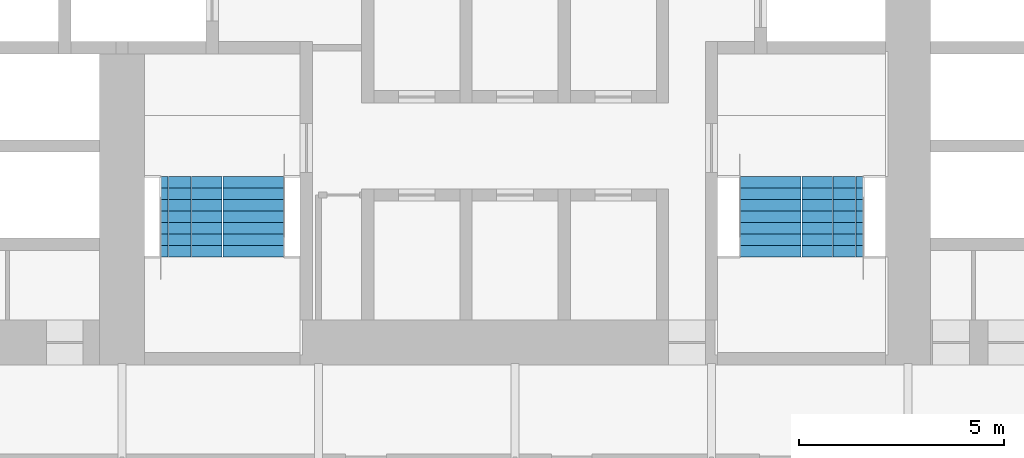
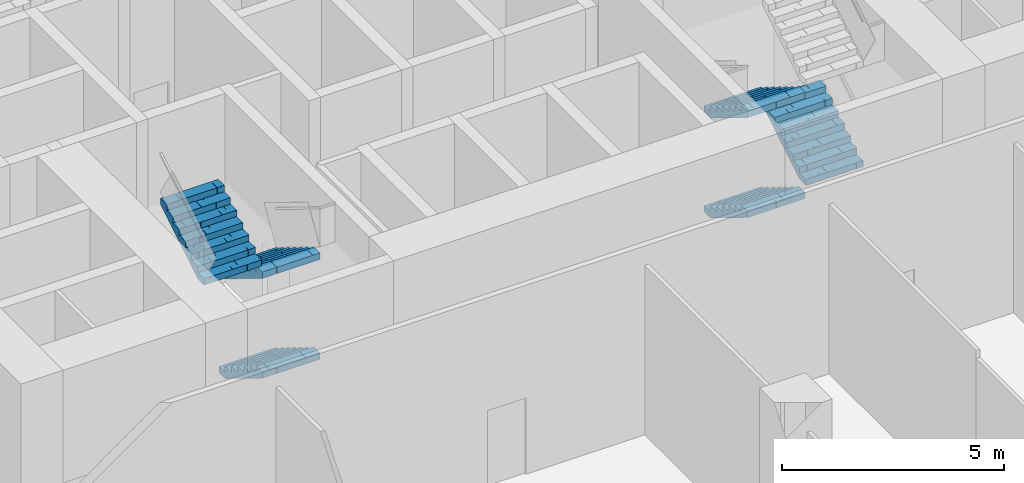
# One storey, part 26 of 32: 6 stair flights, 2 elements without a shape of their own.
"""IFC4 building model written with IfcOpenShell, lengths in metres."""

from ifc_helpers import new_model, si_unit, direction, frame, origin, place, context, subcontext, project, spatial, polyline, outline, extrude, material, type_object, element, aggregate, save


model = new_model("IFC4")

# Units and contexts
model_context = context("Model", 3, precision=1e-05, world=origin(), true_north=direction((0.0, 1.0)))
body_context = subcontext(model_context, "Body", "Model", "MODEL_VIEW")
ifc_project = project(units=[si_unit("LENGTHUNIT", "METRE"), si_unit("AREAUNIT", "SQUARE_METRE"), si_unit("VOLUMEUNIT", "CUBIC_METRE"), si_unit("PLANEANGLEUNIT", "RADIAN"), si_unit("MASSUNIT", "GRAM", prefix="KILO")], contexts=[model_context])

# Site, building, storey
site_placement = place(None, origin())
site = spatial("IfcSite", under=ifc_project, at=site_placement, CompositionType="ELEMENT")
building_placement = place(site_placement, origin())
building = spatial("IfcBuilding", under=site, at=building_placement, Name="Kolab Exchange Tower", CompositionType="ELEMENT")
storey_placement = place(building_placement, frame((0.0, 0.0, 60.89990234375)))
storey = spatial("IfcBuildingStorey", under=building, at=storey_placement, Name="L11", CompositionType="ELEMENT", Elevation=60.89990234375)

# Stair, stair flights
ifc_material = material(Name="Concrete C50/60", Category="concrete")
stair_type_1 = type_object("IfcStairType", Name="STAIR ST3 RISER 171.9", PredefinedType="DOUBLE_RETURN_STAIR", material=ifc_material)
stair_1_placement = place(storey_placement, origin())
stair_1 = element("IfcStair", 1, at=stair_1_placement, inside=storey, type_object=stair_type_1, Name="Stair 3", PredefinedType="DOUBLE_RETURN_STAIR")
stair_flight_type = type_object("IfcStairFlightType", Name="STAIR FLIGHT 1500 RISER 171.9", PredefinedType="STRAIGHT", material=ifc_material)
stair_flight_1_placement = place(storey_placement, frame((-6.389892578125, -5.550048828125, 0.0), z_axis=(0.0, 0.0, 1.0), x_axis=(0.0, -1.0, 0.0)))
stair_flight_1 = element("IfcStairFlight", 2, at=stair_flight_1_placement, type_object=stair_flight_type, Name="ST3 flight 1", NumberOfRisers=8, NumberOfTreads=7, PredefinedType="STRAIGHT", RiserHeight=0.171875, TreadLength=0.28, context=body_context, shape_type="SweptSolid", body=[
    extrude(outline(polyline([(0.0, 0.0), (0.0, 0.171875), (0.280029296875, 0.171875), (0.280029296875, 0.34375), (0.56005859375, 0.34375), (0.56005859375, 0.515625), (0.840087890625, 0.515625), (0.840087890625, 0.6875), (1.1201171875, 0.6875), (1.1201171875, 0.859375), (1.39990234375, 0.859375), (1.39990234375, 1.03125), (1.679931640625, 1.03125), (1.679931640625, 1.203125), (1.9599609375, 1.203125), (1.9599609375, 1.375), (1.9599609375, 1.02734375), (0.28662109375, 0.0), (0.0, 0.0)])), frame((0.0, 0.75, 0.0), z_axis=(0.0, -1.0, 0.0), x_axis=(1.0, 0.0, 0.0)), (0.0, 0.0, 1.0), 0.185791015625),
    extrude(outline(polyline([(0.0, 0.0), (0.0, 0.171875), (0.280029296875, 0.171875), (0.280029296875, 0.34375), (0.56005859375, 0.34375), (0.56005859375, 0.515625), (0.840087890625, 0.515625), (0.840087890625, 0.6875), (1.1201171875, 0.6875), (1.1201171875, 0.859375), (1.39990234375, 0.859375), (1.39990234375, 1.03125), (1.679931640625, 1.03125), (1.679931640625, 1.203125), (1.9599609375, 1.203125), (1.9599609375, 1.375), (1.9599609375, 1.02734375), (0.28662109375, 0.0), (0.0, 0.0)])), frame((0.0, 0.562255859375, 0.0), z_axis=(0.0, -1.0, 0.0), x_axis=(1.0, 0.0, 0.0)), (0.0, 0.0, 1.0), 0.185791015625),
    extrude(outline(polyline([(0.0, 0.0), (0.0, 0.171875), (0.280029296875, 0.171875), (0.280029296875, 0.34375), (0.56005859375, 0.34375), (0.56005859375, 0.515625), (0.840087890625, 0.515625), (0.840087890625, 0.6875), (1.1201171875, 0.6875), (1.1201171875, 0.859375), (1.39990234375, 0.859375), (1.39990234375, 1.03125), (1.679931640625, 1.03125), (1.679931640625, 1.203125), (1.9599609375, 1.203125), (1.9599609375, 1.375), (1.9599609375, 1.02734375), (0.28662109375, 0.0), (0.0, 0.0)])), frame((0.0, 0.37451171875, 0.0), z_axis=(0.0, -1.0, 0.0), x_axis=(1.0, 0.0, 0.0)), (0.0, 0.0, 1.0), 0.185791015625),
    extrude(outline(polyline([(0.0, 0.0), (0.0, 0.171875), (0.280029296875, 0.171875), (0.280029296875, 0.34375), (0.56005859375, 0.34375), (0.56005859375, 0.515625), (0.840087890625, 0.515625), (0.840087890625, 0.6875), (1.1201171875, 0.6875), (1.1201171875, 0.859375), (1.39990234375, 0.859375), (1.39990234375, 1.03125), (1.679931640625, 1.03125), (1.679931640625, 1.203125), (1.9599609375, 1.203125), (1.9599609375, 1.375), (1.9599609375, 1.02734375), (0.28662109375, 0.0), (0.0, 0.0)])), frame((0.0, 0.186767578125, 0.0), z_axis=(0.0, -1.0, 0.0), x_axis=(1.0, 0.0, 0.0)), (0.0, 0.0, 1.0), 0.185791015625),
    extrude(outline(polyline([(0.0, 0.0), (0.0, 0.171875), (0.280029296875, 0.171875), (0.280029296875, 0.34375), (0.56005859375, 0.34375), (0.56005859375, 0.515625), (0.840087890625, 0.515625), (0.840087890625, 0.6875), (1.1201171875, 0.6875), (1.1201171875, 0.859375), (1.39990234375, 0.859375), (1.39990234375, 1.03125), (1.679931640625, 1.03125), (1.679931640625, 1.203125), (1.9599609375, 1.203125), (1.9599609375, 1.375), (1.9599609375, 1.02734375), (0.28662109375, 0.0), (0.0, 0.0)])), frame((0.0, -0.0009765625, 0.0), z_axis=(0.0, -1.0, 0.0), x_axis=(1.0, 0.0, 0.0)), (0.0, 0.0, 1.0), 0.185791015625),
    extrude(outline(polyline([(0.0, 0.0), (0.0, 0.171875), (0.280029296875, 0.171875), (0.280029296875, 0.34375), (0.56005859375, 0.34375), (0.56005859375, 0.515625), (0.840087890625, 0.515625), (0.840087890625, 0.6875), (1.1201171875, 0.6875), (1.1201171875, 0.859375), (1.39990234375, 0.859375), (1.39990234375, 1.03125), (1.679931640625, 1.03125), (1.679931640625, 1.203125), (1.9599609375, 1.203125), (1.9599609375, 1.375), (1.9599609375, 1.02734375), (0.28662109375, 0.0), (0.0, 0.0)])), frame((0.0, -0.188720703125, 0.0), z_axis=(0.0, -1.0, 0.0), x_axis=(1.0, 0.0, 0.0)), (0.0, 0.0, 1.0), 0.185791015625),
    extrude(outline(polyline([(0.0, 0.0), (0.0, 0.171875), (0.280029296875, 0.171875), (0.280029296875, 0.34375), (0.56005859375, 0.34375), (0.56005859375, 0.515625), (0.840087890625, 0.515625), (0.840087890625, 0.6875), (1.1201171875, 0.6875), (1.1201171875, 0.859375), (1.39990234375, 0.859375), (1.39990234375, 1.03125), (1.679931640625, 1.03125), (1.679931640625, 1.203125), (1.9599609375, 1.203125), (1.9599609375, 1.375), (1.9599609375, 1.02734375), (0.28662109375, 0.0), (0.0, 0.0)])), frame((0.0, -0.37646484375, 0.0), z_axis=(0.0, -1.0, 0.0), x_axis=(1.0, 0.0, 0.0)), (0.0, 0.0, 1.0), 0.185791015625),
    extrude(outline(polyline([(0.0, 0.0), (0.0, 0.171875), (0.280029296875, 0.171875), (0.280029296875, 0.34375), (0.56005859375, 0.34375), (0.56005859375, 0.515625), (0.840087890625, 0.515625), (0.840087890625, 0.6875), (1.1201171875, 0.6875), (1.1201171875, 0.859375), (1.39990234375, 0.859375), (1.39990234375, 1.03125), (1.679931640625, 1.03125), (1.679931640625, 1.203125), (1.9599609375, 1.203125), (1.9599609375, 1.375), (1.9599609375, 1.02734375), (0.28662109375, 0.0), (0.0, 0.0)])), frame((0.0, -0.564208984375, 0.0), z_axis=(0.0, -1.0, 0.0), x_axis=(1.0, 0.0, 0.0)), (0.0, 0.0, 1.0), 0.185791015625),
])
stair_flight_2_placement = place(storey_placement, frame((-6.389892578125, -5.550048828125, 2.75), z_axis=(0.0, 0.0, 1.0), x_axis=(0.0, -1.0, 0.0)))
stair_flight_2 = element("IfcStairFlight", 3, at=stair_flight_2_placement, type_object=stair_flight_type, Name="ST3 flight 3", NumberOfRisers=8, NumberOfTreads=7, PredefinedType="STRAIGHT", RiserHeight=0.171875, TreadLength=0.28, context=body_context, shape_type="SweptSolid", body=[
    extrude(outline(polyline([(0.0, 0.0), (0.0, 0.171875), (0.280029296875, 0.171875), (0.280029296875, 0.34375), (0.56005859375, 0.34375), (0.56005859375, 0.515625), (0.840087890625, 0.515625), (0.840087890625, 0.6875), (1.1201171875, 0.6875), (1.1201171875, 0.859375), (1.39990234375, 0.859375), (1.39990234375, 1.03125), (1.679931640625, 1.03125), (1.679931640625, 1.203125), (1.9599609375, 1.203125), (1.9599609375, 1.375), (1.9599609375, 1.02734375), (0.28662109375, 0.0), (0.0, 0.0)])), frame((0.0, 0.75, 0.0), z_axis=(0.0, -1.0, 0.0), x_axis=(1.0, 0.0, 0.0)), (0.0, 0.0, 1.0), 0.185791015625),
    extrude(outline(polyline([(0.0, 0.0), (0.0, 0.171875), (0.280029296875, 0.171875), (0.280029296875, 0.34375), (0.56005859375, 0.34375), (0.56005859375, 0.515625), (0.840087890625, 0.515625), (0.840087890625, 0.6875), (1.1201171875, 0.6875), (1.1201171875, 0.859375), (1.39990234375, 0.859375), (1.39990234375, 1.03125), (1.679931640625, 1.03125), (1.679931640625, 1.203125), (1.9599609375, 1.203125), (1.9599609375, 1.375), (1.9599609375, 1.02734375), (0.28662109375, 0.0), (0.0, 0.0)])), frame((0.0, 0.562255859375, 0.0), z_axis=(0.0, -1.0, 0.0), x_axis=(1.0, 0.0, 0.0)), (0.0, 0.0, 1.0), 0.185791015625),
    extrude(outline(polyline([(0.0, 0.0), (0.0, 0.171875), (0.280029296875, 0.171875), (0.280029296875, 0.34375), (0.56005859375, 0.34375), (0.56005859375, 0.515625), (0.840087890625, 0.515625), (0.840087890625, 0.6875), (1.1201171875, 0.6875), (1.1201171875, 0.859375), (1.39990234375, 0.859375), (1.39990234375, 1.03125), (1.679931640625, 1.03125), (1.679931640625, 1.203125), (1.9599609375, 1.203125), (1.9599609375, 1.375), (1.9599609375, 1.02734375), (0.28662109375, 0.0), (0.0, 0.0)])), frame((0.0, 0.37451171875, 0.0), z_axis=(0.0, -1.0, 0.0), x_axis=(1.0, 0.0, 0.0)), (0.0, 0.0, 1.0), 0.185791015625),
    extrude(outline(polyline([(0.0, 0.0), (0.0, 0.171875), (0.280029296875, 0.171875), (0.280029296875, 0.34375), (0.56005859375, 0.34375), (0.56005859375, 0.515625), (0.840087890625, 0.515625), (0.840087890625, 0.6875), (1.1201171875, 0.6875), (1.1201171875, 0.859375), (1.39990234375, 0.859375), (1.39990234375, 1.03125), (1.679931640625, 1.03125), (1.679931640625, 1.203125), (1.9599609375, 1.203125), (1.9599609375, 1.375), (1.9599609375, 1.02734375), (0.28662109375, 0.0), (0.0, 0.0)])), frame((0.0, 0.186767578125, 0.0), z_axis=(0.0, -1.0, 0.0), x_axis=(1.0, 0.0, 0.0)), (0.0, 0.0, 1.0), 0.185791015625),
    extrude(outline(polyline([(0.0, 0.0), (0.0, 0.171875), (0.280029296875, 0.171875), (0.280029296875, 0.34375), (0.56005859375, 0.34375), (0.56005859375, 0.515625), (0.840087890625, 0.515625), (0.840087890625, 0.6875), (1.1201171875, 0.6875), (1.1201171875, 0.859375), (1.39990234375, 0.859375), (1.39990234375, 1.03125), (1.679931640625, 1.03125), (1.679931640625, 1.203125), (1.9599609375, 1.203125), (1.9599609375, 1.375), (1.9599609375, 1.02734375), (0.28662109375, 0.0), (0.0, 0.0)])), frame((0.0, -0.0009765625, 0.0), z_axis=(0.0, -1.0, 0.0), x_axis=(1.0, 0.0, 0.0)), (0.0, 0.0, 1.0), 0.185791015625),
    extrude(outline(polyline([(0.0, 0.0), (0.0, 0.171875), (0.280029296875, 0.171875), (0.280029296875, 0.34375), (0.56005859375, 0.34375), (0.56005859375, 0.515625), (0.840087890625, 0.515625), (0.840087890625, 0.6875), (1.1201171875, 0.6875), (1.1201171875, 0.859375), (1.39990234375, 0.859375), (1.39990234375, 1.03125), (1.679931640625, 1.03125), (1.679931640625, 1.203125), (1.9599609375, 1.203125), (1.9599609375, 1.375), (1.9599609375, 1.02734375), (0.28662109375, 0.0), (0.0, 0.0)])), frame((0.0, -0.188720703125, 0.0), z_axis=(0.0, -1.0, 0.0), x_axis=(1.0, 0.0, 0.0)), (0.0, 0.0, 1.0), 0.185791015625),
    extrude(outline(polyline([(0.0, 0.0), (0.0, 0.171875), (0.280029296875, 0.171875), (0.280029296875, 0.34375), (0.56005859375, 0.34375), (0.56005859375, 0.515625), (0.840087890625, 0.515625), (0.840087890625, 0.6875), (1.1201171875, 0.6875), (1.1201171875, 0.859375), (1.39990234375, 0.859375), (1.39990234375, 1.03125), (1.679931640625, 1.03125), (1.679931640625, 1.203125), (1.9599609375, 1.203125), (1.9599609375, 1.375), (1.9599609375, 1.02734375), (0.28662109375, 0.0), (0.0, 0.0)])), frame((0.0, -0.37646484375, 0.0), z_axis=(0.0, -1.0, 0.0), x_axis=(1.0, 0.0, 0.0)), (0.0, 0.0, 1.0), 0.185791015625),
    extrude(outline(polyline([(0.0, 0.0), (0.0, 0.171875), (0.280029296875, 0.171875), (0.280029296875, 0.34375), (0.56005859375, 0.34375), (0.56005859375, 0.515625), (0.840087890625, 0.515625), (0.840087890625, 0.6875), (1.1201171875, 0.6875), (1.1201171875, 0.859375), (1.39990234375, 0.859375), (1.39990234375, 1.03125), (1.679931640625, 1.03125), (1.679931640625, 1.203125), (1.9599609375, 1.203125), (1.9599609375, 1.375), (1.9599609375, 1.02734375), (0.28662109375, 0.0), (0.0, 0.0)])), frame((0.0, -0.564208984375, 0.0), z_axis=(0.0, -1.0, 0.0), x_axis=(1.0, 0.0, 0.0)), (0.0, 0.0, 1.0), 0.185791015625),
])
stair_flight_3_placement = place(storey_placement, frame((-7.909912109375, -7.510009765625, 4.125), z_axis=(0.0, 0.0, 1.0), x_axis=(0.0, 1.0, 0.0)))
stair_flight_3 = element("IfcStairFlight", 4, at=stair_flight_3_placement, type_object=stair_flight_type, Name="ST3 flight 4", NumberOfRisers=8, NumberOfTreads=7, PredefinedType="STRAIGHT", RiserHeight=0.171875, TreadLength=0.28, context=body_context, shape_type="SweptSolid", body=[
    extrude(outline(polyline([(0.0, 0.0), (0.0, 0.171875), (0.280029296875, 0.171875), (0.280029296875, 0.34375), (0.56005859375, 0.34375), (0.56005859375, 0.515625), (0.840087890625, 0.515625), (0.840087890625, 0.6875), (1.1201171875, 0.6875), (1.1201171875, 0.859375), (1.39990234375, 0.859375), (1.39990234375, 1.03125), (1.679931640625, 1.03125), (1.679931640625, 1.203125), (1.9599609375, 1.203125), (1.9599609375, 1.375), (1.9599609375, 1.02734375), (0.28662109375, 0.0), (0.0, 0.0)])), frame((0.0, 0.75, 0.0), z_axis=(0.0, -1.0, 0.0), x_axis=(1.0, 0.0, 0.0)), (0.0, 0.0, 1.0), 0.185791015625),
    extrude(outline(polyline([(0.0, 0.0), (0.0, 0.171875), (0.280029296875, 0.171875), (0.280029296875, 0.34375), (0.56005859375, 0.34375), (0.56005859375, 0.515625), (0.840087890625, 0.515625), (0.840087890625, 0.6875), (1.1201171875, 0.6875), (1.1201171875, 0.859375), (1.39990234375, 0.859375), (1.39990234375, 1.03125), (1.679931640625, 1.03125), (1.679931640625, 1.203125), (1.9599609375, 1.203125), (1.9599609375, 1.375), (1.9599609375, 1.02734375), (0.28662109375, 0.0), (0.0, 0.0)])), frame((0.0, 0.562255859375, 0.0), z_axis=(0.0, -1.0, 0.0), x_axis=(1.0, 0.0, 0.0)), (0.0, 0.0, 1.0), 0.185791015625),
    extrude(outline(polyline([(0.0, 0.0), (0.0, 0.171875), (0.280029296875, 0.171875), (0.280029296875, 0.34375), (0.56005859375, 0.34375), (0.56005859375, 0.515625), (0.840087890625, 0.515625), (0.840087890625, 0.6875), (1.1201171875, 0.6875), (1.1201171875, 0.859375), (1.39990234375, 0.859375), (1.39990234375, 1.03125), (1.679931640625, 1.03125), (1.679931640625, 1.203125), (1.9599609375, 1.203125), (1.9599609375, 1.375), (1.9599609375, 1.02734375), (0.28662109375, 0.0), (0.0, 0.0)])), frame((0.0, 0.37451171875, 0.0), z_axis=(0.0, -1.0, 0.0), x_axis=(1.0, 0.0, 0.0)), (0.0, 0.0, 1.0), 0.185791015625),
    extrude(outline(polyline([(0.0, 0.0), (0.0, 0.171875), (0.280029296875, 0.171875), (0.280029296875, 0.34375), (0.56005859375, 0.34375), (0.56005859375, 0.515625), (0.840087890625, 0.515625), (0.840087890625, 0.6875), (1.1201171875, 0.6875), (1.1201171875, 0.859375), (1.39990234375, 0.859375), (1.39990234375, 1.03125), (1.679931640625, 1.03125), (1.679931640625, 1.203125), (1.9599609375, 1.203125), (1.9599609375, 1.375), (1.9599609375, 1.02734375), (0.28662109375, 0.0), (0.0, 0.0)])), frame((0.0, 0.186767578125, 0.0), z_axis=(0.0, -1.0, 0.0), x_axis=(1.0, 0.0, 0.0)), (0.0, 0.0, 1.0), 0.185791015625),
    extrude(outline(polyline([(0.0, 0.0), (0.0, 0.171875), (0.280029296875, 0.171875), (0.280029296875, 0.34375), (0.56005859375, 0.34375), (0.56005859375, 0.515625), (0.840087890625, 0.515625), (0.840087890625, 0.6875), (1.1201171875, 0.6875), (1.1201171875, 0.859375), (1.39990234375, 0.859375), (1.39990234375, 1.03125), (1.679931640625, 1.03125), (1.679931640625, 1.203125), (1.9599609375, 1.203125), (1.9599609375, 1.375), (1.9599609375, 1.02734375), (0.28662109375, 0.0), (0.0, 0.0)])), frame((0.0, -0.0009765625, 0.0), z_axis=(0.0, -1.0, 0.0), x_axis=(1.0, 0.0, 0.0)), (0.0, 0.0, 1.0), 0.185791015625),
    extrude(outline(polyline([(0.0, 0.0), (0.0, 0.171875), (0.280029296875, 0.171875), (0.280029296875, 0.34375), (0.56005859375, 0.34375), (0.56005859375, 0.515625), (0.840087890625, 0.515625), (0.840087890625, 0.6875), (1.1201171875, 0.6875), (1.1201171875, 0.859375), (1.39990234375, 0.859375), (1.39990234375, 1.03125), (1.679931640625, 1.03125), (1.679931640625, 1.203125), (1.9599609375, 1.203125), (1.9599609375, 1.375), (1.9599609375, 1.02734375), (0.28662109375, 0.0), (0.0, 0.0)])), frame((0.0, -0.188720703125, 0.0), z_axis=(0.0, -1.0, 0.0), x_axis=(1.0, 0.0, 0.0)), (0.0, 0.0, 1.0), 0.185791015625),
    extrude(outline(polyline([(0.0, 0.0), (0.0, 0.171875), (0.280029296875, 0.171875), (0.280029296875, 0.34375), (0.56005859375, 0.34375), (0.56005859375, 0.515625), (0.840087890625, 0.515625), (0.840087890625, 0.6875), (1.1201171875, 0.6875), (1.1201171875, 0.859375), (1.39990234375, 0.859375), (1.39990234375, 1.03125), (1.679931640625, 1.03125), (1.679931640625, 1.203125), (1.9599609375, 1.203125), (1.9599609375, 1.375), (1.9599609375, 1.02734375), (0.28662109375, 0.0), (0.0, 0.0)])), frame((0.0, -0.37646484375, 0.0), z_axis=(0.0, -1.0, 0.0), x_axis=(1.0, 0.0, 0.0)), (0.0, 0.0, 1.0), 0.185791015625),
    extrude(outline(polyline([(0.0, 0.0), (0.0, 0.171875), (0.280029296875, 0.171875), (0.280029296875, 0.34375), (0.56005859375, 0.34375), (0.56005859375, 0.515625), (0.840087890625, 0.515625), (0.840087890625, 0.6875), (1.1201171875, 0.6875), (1.1201171875, 0.859375), (1.39990234375, 0.859375), (1.39990234375, 1.03125), (1.679931640625, 1.03125), (1.679931640625, 1.203125), (1.9599609375, 1.203125), (1.9599609375, 1.375), (1.9599609375, 1.02734375), (0.28662109375, 0.0), (0.0, 0.0)])), frame((0.0, -0.564208984375, 0.0), z_axis=(0.0, -1.0, 0.0), x_axis=(1.0, 0.0, 0.0)), (0.0, 0.0, 1.0), 0.185791015625),
])
aggregate(stair_1, [stair_flight_1, stair_flight_2, stair_flight_3])

stair_type_2 = type_object("IfcStairType", Name="STAIR ST2 RISER 171.9", PredefinedType="DOUBLE_RETURN_STAIR", material=ifc_material)
stair_2_placement = place(storey_placement, origin())
stair_2 = element("IfcStair", 5, at=stair_2_placement, inside=storey, type_object=stair_type_2, Name="Stair 2", PredefinedType="DOUBLE_RETURN_STAIR")
stair_flight_4_placement = place(storey_placement, frame((6.239990234375, -5.550048828125, 0.0), z_axis=(0.0, 0.0, 1.0), x_axis=(0.0, -1.0, 0.0)))
stair_flight_4 = element("IfcStairFlight", 6, at=stair_flight_4_placement, type_object=stair_flight_type, Name="ST2 flight 1", NumberOfRisers=8, NumberOfTreads=7, PredefinedType="STRAIGHT", RiserHeight=0.171875, TreadLength=0.28, context=body_context, shape_type="SweptSolid", body=[
    extrude(outline(polyline([(0.0, 0.0), (0.0, 0.171875), (0.280029296875, 0.171875), (0.280029296875, 0.34375), (0.56005859375, 0.34375), (0.56005859375, 0.515625), (0.840087890625, 0.515625), (0.840087890625, 0.6875), (1.1201171875, 0.6875), (1.1201171875, 0.859375), (1.39990234375, 0.859375), (1.39990234375, 1.03125), (1.679931640625, 1.03125), (1.679931640625, 1.203125), (1.9599609375, 1.203125), (1.9599609375, 1.375), (1.9599609375, 1.02734375), (0.28662109375, 0.0), (0.0, 0.0)])), frame((0.0, 0.75, 0.0), z_axis=(0.0, -1.0, 0.0), x_axis=(1.0, 0.0, 0.0)), (0.0, 0.0, 1.0), 0.185791015625),
    extrude(outline(polyline([(0.0, 0.0), (0.0, 0.171875), (0.280029296875, 0.171875), (0.280029296875, 0.34375), (0.56005859375, 0.34375), (0.56005859375, 0.515625), (0.840087890625, 0.515625), (0.840087890625, 0.6875), (1.1201171875, 0.6875), (1.1201171875, 0.859375), (1.39990234375, 0.859375), (1.39990234375, 1.03125), (1.679931640625, 1.03125), (1.679931640625, 1.203125), (1.9599609375, 1.203125), (1.9599609375, 1.375), (1.9599609375, 1.02734375), (0.28662109375, 0.0), (0.0, 0.0)])), frame((0.0, 0.562255859375, 0.0), z_axis=(0.0, -1.0, 0.0), x_axis=(1.0, 0.0, 0.0)), (0.0, 0.0, 1.0), 0.185791015625),
    extrude(outline(polyline([(0.0, 0.0), (0.0, 0.171875), (0.280029296875, 0.171875), (0.280029296875, 0.34375), (0.56005859375, 0.34375), (0.56005859375, 0.515625), (0.840087890625, 0.515625), (0.840087890625, 0.6875), (1.1201171875, 0.6875), (1.1201171875, 0.859375), (1.39990234375, 0.859375), (1.39990234375, 1.03125), (1.679931640625, 1.03125), (1.679931640625, 1.203125), (1.9599609375, 1.203125), (1.9599609375, 1.375), (1.9599609375, 1.02734375), (0.28662109375, 0.0), (0.0, 0.0)])), frame((0.0, 0.37451171875, 0.0), z_axis=(0.0, -1.0, 0.0), x_axis=(1.0, 0.0, 0.0)), (0.0, 0.0, 1.0), 0.185791015625),
    extrude(outline(polyline([(0.0, 0.0), (0.0, 0.171875), (0.280029296875, 0.171875), (0.280029296875, 0.34375), (0.56005859375, 0.34375), (0.56005859375, 0.515625), (0.840087890625, 0.515625), (0.840087890625, 0.6875), (1.1201171875, 0.6875), (1.1201171875, 0.859375), (1.39990234375, 0.859375), (1.39990234375, 1.03125), (1.679931640625, 1.03125), (1.679931640625, 1.203125), (1.9599609375, 1.203125), (1.9599609375, 1.375), (1.9599609375, 1.02734375), (0.28662109375, 0.0), (0.0, 0.0)])), frame((0.0, 0.186767578125, 0.0), z_axis=(0.0, -1.0, 0.0), x_axis=(1.0, 0.0, 0.0)), (0.0, 0.0, 1.0), 0.185791015625),
    extrude(outline(polyline([(0.0, 0.0), (0.0, 0.171875), (0.280029296875, 0.171875), (0.280029296875, 0.34375), (0.56005859375, 0.34375), (0.56005859375, 0.515625), (0.840087890625, 0.515625), (0.840087890625, 0.6875), (1.1201171875, 0.6875), (1.1201171875, 0.859375), (1.39990234375, 0.859375), (1.39990234375, 1.03125), (1.679931640625, 1.03125), (1.679931640625, 1.203125), (1.9599609375, 1.203125), (1.9599609375, 1.375), (1.9599609375, 1.02734375), (0.28662109375, 0.0), (0.0, 0.0)])), frame((0.0, -0.0009765625, 0.0), z_axis=(0.0, -1.0, 0.0), x_axis=(1.0, 0.0, 0.0)), (0.0, 0.0, 1.0), 0.185791015625),
    extrude(outline(polyline([(0.0, 0.0), (0.0, 0.171875), (0.280029296875, 0.171875), (0.280029296875, 0.34375), (0.56005859375, 0.34375), (0.56005859375, 0.515625), (0.840087890625, 0.515625), (0.840087890625, 0.6875), (1.1201171875, 0.6875), (1.1201171875, 0.859375), (1.39990234375, 0.859375), (1.39990234375, 1.03125), (1.679931640625, 1.03125), (1.679931640625, 1.203125), (1.9599609375, 1.203125), (1.9599609375, 1.375), (1.9599609375, 1.02734375), (0.28662109375, 0.0), (0.0, 0.0)])), frame((0.0, -0.188720703125, 0.0), z_axis=(0.0, -1.0, 0.0), x_axis=(1.0, 0.0, 0.0)), (0.0, 0.0, 1.0), 0.185791015625),
    extrude(outline(polyline([(0.0, 0.0), (0.0, 0.171875), (0.280029296875, 0.171875), (0.280029296875, 0.34375), (0.56005859375, 0.34375), (0.56005859375, 0.515625), (0.840087890625, 0.515625), (0.840087890625, 0.6875), (1.1201171875, 0.6875), (1.1201171875, 0.859375), (1.39990234375, 0.859375), (1.39990234375, 1.03125), (1.679931640625, 1.03125), (1.679931640625, 1.203125), (1.9599609375, 1.203125), (1.9599609375, 1.375), (1.9599609375, 1.02734375), (0.28662109375, 0.0), (0.0, 0.0)])), frame((0.0, -0.37646484375, 0.0), z_axis=(0.0, -1.0, 0.0), x_axis=(1.0, 0.0, 0.0)), (0.0, 0.0, 1.0), 0.185791015625),
    extrude(outline(polyline([(0.0, 0.0), (0.0, 0.171875), (0.280029296875, 0.171875), (0.280029296875, 0.34375), (0.56005859375, 0.34375), (0.56005859375, 0.515625), (0.840087890625, 0.515625), (0.840087890625, 0.6875), (1.1201171875, 0.6875), (1.1201171875, 0.859375), (1.39990234375, 0.859375), (1.39990234375, 1.03125), (1.679931640625, 1.03125), (1.679931640625, 1.203125), (1.9599609375, 1.203125), (1.9599609375, 1.375), (1.9599609375, 1.02734375), (0.28662109375, 0.0), (0.0, 0.0)])), frame((0.0, -0.564208984375, 0.0), z_axis=(0.0, -1.0, 0.0), x_axis=(1.0, 0.0, 0.0)), (0.0, 0.0, 1.0), 0.185791015625),
])
stair_flight_5_placement = place(storey_placement, frame((7.760009765625, -7.510009765625, 1.375), z_axis=(0.0, 0.0, 1.0), x_axis=(0.0, 1.0, 0.0)))
stair_flight_5 = element("IfcStairFlight", 7, at=stair_flight_5_placement, type_object=stair_flight_type, Name="ST2 flight 2", NumberOfRisers=8, NumberOfTreads=7, PredefinedType="STRAIGHT", RiserHeight=0.171875, TreadLength=0.28, context=body_context, shape_type="SweptSolid", body=[
    extrude(outline(polyline([(0.0, 0.0), (0.0, 0.171875), (0.280029296875, 0.171875), (0.280029296875, 0.34375), (0.56005859375, 0.34375), (0.56005859375, 0.515625), (0.840087890625, 0.515625), (0.840087890625, 0.6875), (1.1201171875, 0.6875), (1.1201171875, 0.859375), (1.39990234375, 0.859375), (1.39990234375, 1.03125), (1.679931640625, 1.03125), (1.679931640625, 1.203125), (1.9599609375, 1.203125), (1.9599609375, 1.375), (1.9599609375, 1.02734375), (0.28662109375, 0.0), (0.0, 0.0)])), frame((0.0, 0.75, 0.0), z_axis=(0.0, -1.0, 0.0), x_axis=(1.0, 0.0, 0.0)), (0.0, 0.0, 1.0), 0.185791015625),
    extrude(outline(polyline([(0.0, 0.0), (0.0, 0.171875), (0.280029296875, 0.171875), (0.280029296875, 0.34375), (0.56005859375, 0.34375), (0.56005859375, 0.515625), (0.840087890625, 0.515625), (0.840087890625, 0.6875), (1.1201171875, 0.6875), (1.1201171875, 0.859375), (1.39990234375, 0.859375), (1.39990234375, 1.03125), (1.679931640625, 1.03125), (1.679931640625, 1.203125), (1.9599609375, 1.203125), (1.9599609375, 1.375), (1.9599609375, 1.02734375), (0.28662109375, 0.0), (0.0, 0.0)])), frame((0.0, 0.562255859375, 0.0), z_axis=(0.0, -1.0, 0.0), x_axis=(1.0, 0.0, 0.0)), (0.0, 0.0, 1.0), 0.185791015625),
    extrude(outline(polyline([(0.0, 0.0), (0.0, 0.171875), (0.280029296875, 0.171875), (0.280029296875, 0.34375), (0.56005859375, 0.34375), (0.56005859375, 0.515625), (0.840087890625, 0.515625), (0.840087890625, 0.6875), (1.1201171875, 0.6875), (1.1201171875, 0.859375), (1.39990234375, 0.859375), (1.39990234375, 1.03125), (1.679931640625, 1.03125), (1.679931640625, 1.203125), (1.9599609375, 1.203125), (1.9599609375, 1.375), (1.9599609375, 1.02734375), (0.28662109375, 0.0), (0.0, 0.0)])), frame((0.0, 0.37451171875, 0.0), z_axis=(0.0, -1.0, 0.0), x_axis=(1.0, 0.0, 0.0)), (0.0, 0.0, 1.0), 0.185791015625),
    extrude(outline(polyline([(0.0, 0.0), (0.0, 0.171875), (0.280029296875, 0.171875), (0.280029296875, 0.34375), (0.56005859375, 0.34375), (0.56005859375, 0.515625), (0.840087890625, 0.515625), (0.840087890625, 0.6875), (1.1201171875, 0.6875), (1.1201171875, 0.859375), (1.39990234375, 0.859375), (1.39990234375, 1.03125), (1.679931640625, 1.03125), (1.679931640625, 1.203125), (1.9599609375, 1.203125), (1.9599609375, 1.375), (1.9599609375, 1.02734375), (0.28662109375, 0.0), (0.0, 0.0)])), frame((0.0, 0.186767578125, 0.0), z_axis=(0.0, -1.0, 0.0), x_axis=(1.0, 0.0, 0.0)), (0.0, 0.0, 1.0), 0.185791015625),
    extrude(outline(polyline([(0.0, 0.0), (0.0, 0.171875), (0.280029296875, 0.171875), (0.280029296875, 0.34375), (0.56005859375, 0.34375), (0.56005859375, 0.515625), (0.840087890625, 0.515625), (0.840087890625, 0.6875), (1.1201171875, 0.6875), (1.1201171875, 0.859375), (1.39990234375, 0.859375), (1.39990234375, 1.03125), (1.679931640625, 1.03125), (1.679931640625, 1.203125), (1.9599609375, 1.203125), (1.9599609375, 1.375), (1.9599609375, 1.02734375), (0.28662109375, 0.0), (0.0, 0.0)])), frame((0.0, -0.0009765625, 0.0), z_axis=(0.0, -1.0, 0.0), x_axis=(1.0, 0.0, 0.0)), (0.0, 0.0, 1.0), 0.185791015625),
    extrude(outline(polyline([(0.0, 0.0), (0.0, 0.171875), (0.280029296875, 0.171875), (0.280029296875, 0.34375), (0.56005859375, 0.34375), (0.56005859375, 0.515625), (0.840087890625, 0.515625), (0.840087890625, 0.6875), (1.1201171875, 0.6875), (1.1201171875, 0.859375), (1.39990234375, 0.859375), (1.39990234375, 1.03125), (1.679931640625, 1.03125), (1.679931640625, 1.203125), (1.9599609375, 1.203125), (1.9599609375, 1.375), (1.9599609375, 1.02734375), (0.28662109375, 0.0), (0.0, 0.0)])), frame((0.0, -0.188720703125, 0.0), z_axis=(0.0, -1.0, 0.0), x_axis=(1.0, 0.0, 0.0)), (0.0, 0.0, 1.0), 0.185791015625),
    extrude(outline(polyline([(0.0, 0.0), (0.0, 0.171875), (0.280029296875, 0.171875), (0.280029296875, 0.34375), (0.56005859375, 0.34375), (0.56005859375, 0.515625), (0.840087890625, 0.515625), (0.840087890625, 0.6875), (1.1201171875, 0.6875), (1.1201171875, 0.859375), (1.39990234375, 0.859375), (1.39990234375, 1.03125), (1.679931640625, 1.03125), (1.679931640625, 1.203125), (1.9599609375, 1.203125), (1.9599609375, 1.375), (1.9599609375, 1.02734375), (0.28662109375, 0.0), (0.0, 0.0)])), frame((0.0, -0.37646484375, 0.0), z_axis=(0.0, -1.0, 0.0), x_axis=(1.0, 0.0, 0.0)), (0.0, 0.0, 1.0), 0.185791015625),
    extrude(outline(polyline([(0.0, 0.0), (0.0, 0.171875), (0.280029296875, 0.171875), (0.280029296875, 0.34375), (0.56005859375, 0.34375), (0.56005859375, 0.515625), (0.840087890625, 0.515625), (0.840087890625, 0.6875), (1.1201171875, 0.6875), (1.1201171875, 0.859375), (1.39990234375, 0.859375), (1.39990234375, 1.03125), (1.679931640625, 1.03125), (1.679931640625, 1.203125), (1.9599609375, 1.203125), (1.9599609375, 1.375), (1.9599609375, 1.02734375), (0.28662109375, 0.0), (0.0, 0.0)])), frame((0.0, -0.564208984375, 0.0), z_axis=(0.0, -1.0, 0.0), x_axis=(1.0, 0.0, 0.0)), (0.0, 0.0, 1.0), 0.185791015625),
])
stair_flight_6_placement = place(storey_placement, frame((6.239990234375, -5.550048828125, 2.75), z_axis=(0.0, 0.0, 1.0), x_axis=(0.0, -1.0, 0.0)))
stair_flight_6 = element("IfcStairFlight", 8, at=stair_flight_6_placement, type_object=stair_flight_type, Name="ST2 flight 3", NumberOfRisers=8, NumberOfTreads=7, PredefinedType="STRAIGHT", RiserHeight=0.171875, TreadLength=0.28, context=body_context, shape_type="SweptSolid", body=[
    extrude(outline(polyline([(0.0, 0.0), (0.0, 0.171875), (0.280029296875, 0.171875), (0.280029296875, 0.34375), (0.56005859375, 0.34375), (0.56005859375, 0.515625), (0.840087890625, 0.515625), (0.840087890625, 0.6875), (1.1201171875, 0.6875), (1.1201171875, 0.859375), (1.39990234375, 0.859375), (1.39990234375, 1.03125), (1.679931640625, 1.03125), (1.679931640625, 1.203125), (1.9599609375, 1.203125), (1.9599609375, 1.375), (1.9599609375, 1.02734375), (0.28662109375, 0.0), (0.0, 0.0)])), frame((0.0, 0.75, 0.0), z_axis=(0.0, -1.0, 0.0), x_axis=(1.0, 0.0, 0.0)), (0.0, 0.0, 1.0), 0.185791015625),
    extrude(outline(polyline([(0.0, 0.0), (0.0, 0.171875), (0.280029296875, 0.171875), (0.280029296875, 0.34375), (0.56005859375, 0.34375), (0.56005859375, 0.515625), (0.840087890625, 0.515625), (0.840087890625, 0.6875), (1.1201171875, 0.6875), (1.1201171875, 0.859375), (1.39990234375, 0.859375), (1.39990234375, 1.03125), (1.679931640625, 1.03125), (1.679931640625, 1.203125), (1.9599609375, 1.203125), (1.9599609375, 1.375), (1.9599609375, 1.02734375), (0.28662109375, 0.0), (0.0, 0.0)])), frame((0.0, 0.562255859375, 0.0), z_axis=(0.0, -1.0, 0.0), x_axis=(1.0, 0.0, 0.0)), (0.0, 0.0, 1.0), 0.185791015625),
    extrude(outline(polyline([(0.0, 0.0), (0.0, 0.171875), (0.280029296875, 0.171875), (0.280029296875, 0.34375), (0.56005859375, 0.34375), (0.56005859375, 0.515625), (0.840087890625, 0.515625), (0.840087890625, 0.6875), (1.1201171875, 0.6875), (1.1201171875, 0.859375), (1.39990234375, 0.859375), (1.39990234375, 1.03125), (1.679931640625, 1.03125), (1.679931640625, 1.203125), (1.9599609375, 1.203125), (1.9599609375, 1.375), (1.9599609375, 1.02734375), (0.28662109375, 0.0), (0.0, 0.0)])), frame((0.0, 0.37451171875, 0.0), z_axis=(0.0, -1.0, 0.0), x_axis=(1.0, 0.0, 0.0)), (0.0, 0.0, 1.0), 0.185791015625),
    extrude(outline(polyline([(0.0, 0.0), (0.0, 0.171875), (0.280029296875, 0.171875), (0.280029296875, 0.34375), (0.56005859375, 0.34375), (0.56005859375, 0.515625), (0.840087890625, 0.515625), (0.840087890625, 0.6875), (1.1201171875, 0.6875), (1.1201171875, 0.859375), (1.39990234375, 0.859375), (1.39990234375, 1.03125), (1.679931640625, 1.03125), (1.679931640625, 1.203125), (1.9599609375, 1.203125), (1.9599609375, 1.375), (1.9599609375, 1.02734375), (0.28662109375, 0.0), (0.0, 0.0)])), frame((0.0, 0.186767578125, 0.0), z_axis=(0.0, -1.0, 0.0), x_axis=(1.0, 0.0, 0.0)), (0.0, 0.0, 1.0), 0.185791015625),
    extrude(outline(polyline([(0.0, 0.0), (0.0, 0.171875), (0.280029296875, 0.171875), (0.280029296875, 0.34375), (0.56005859375, 0.34375), (0.56005859375, 0.515625), (0.840087890625, 0.515625), (0.840087890625, 0.6875), (1.1201171875, 0.6875), (1.1201171875, 0.859375), (1.39990234375, 0.859375), (1.39990234375, 1.03125), (1.679931640625, 1.03125), (1.679931640625, 1.203125), (1.9599609375, 1.203125), (1.9599609375, 1.375), (1.9599609375, 1.02734375), (0.28662109375, 0.0), (0.0, 0.0)])), frame((0.0, -0.0009765625, 0.0), z_axis=(0.0, -1.0, 0.0), x_axis=(1.0, 0.0, 0.0)), (0.0, 0.0, 1.0), 0.185791015625),
    extrude(outline(polyline([(0.0, 0.0), (0.0, 0.171875), (0.280029296875, 0.171875), (0.280029296875, 0.34375), (0.56005859375, 0.34375), (0.56005859375, 0.515625), (0.840087890625, 0.515625), (0.840087890625, 0.6875), (1.1201171875, 0.6875), (1.1201171875, 0.859375), (1.39990234375, 0.859375), (1.39990234375, 1.03125), (1.679931640625, 1.03125), (1.679931640625, 1.203125), (1.9599609375, 1.203125), (1.9599609375, 1.375), (1.9599609375, 1.02734375), (0.28662109375, 0.0), (0.0, 0.0)])), frame((0.0, -0.188720703125, 0.0), z_axis=(0.0, -1.0, 0.0), x_axis=(1.0, 0.0, 0.0)), (0.0, 0.0, 1.0), 0.185791015625),
    extrude(outline(polyline([(0.0, 0.0), (0.0, 0.171875), (0.280029296875, 0.171875), (0.280029296875, 0.34375), (0.56005859375, 0.34375), (0.56005859375, 0.515625), (0.840087890625, 0.515625), (0.840087890625, 0.6875), (1.1201171875, 0.6875), (1.1201171875, 0.859375), (1.39990234375, 0.859375), (1.39990234375, 1.03125), (1.679931640625, 1.03125), (1.679931640625, 1.203125), (1.9599609375, 1.203125), (1.9599609375, 1.375), (1.9599609375, 1.02734375), (0.28662109375, 0.0), (0.0, 0.0)])), frame((0.0, -0.37646484375, 0.0), z_axis=(0.0, -1.0, 0.0), x_axis=(1.0, 0.0, 0.0)), (0.0, 0.0, 1.0), 0.185791015625),
    extrude(outline(polyline([(0.0, 0.0), (0.0, 0.171875), (0.280029296875, 0.171875), (0.280029296875, 0.34375), (0.56005859375, 0.34375), (0.56005859375, 0.515625), (0.840087890625, 0.515625), (0.840087890625, 0.6875), (1.1201171875, 0.6875), (1.1201171875, 0.859375), (1.39990234375, 0.859375), (1.39990234375, 1.03125), (1.679931640625, 1.03125), (1.679931640625, 1.203125), (1.9599609375, 1.203125), (1.9599609375, 1.375), (1.9599609375, 1.02734375), (0.28662109375, 0.0), (0.0, 0.0)])), frame((0.0, -0.564208984375, 0.0), z_axis=(0.0, -1.0, 0.0), x_axis=(1.0, 0.0, 0.0)), (0.0, 0.0, 1.0), 0.185791015625),
])
aggregate(stair_2, [stair_flight_4, stair_flight_5, stair_flight_6])

save(model, "model.ifc")
